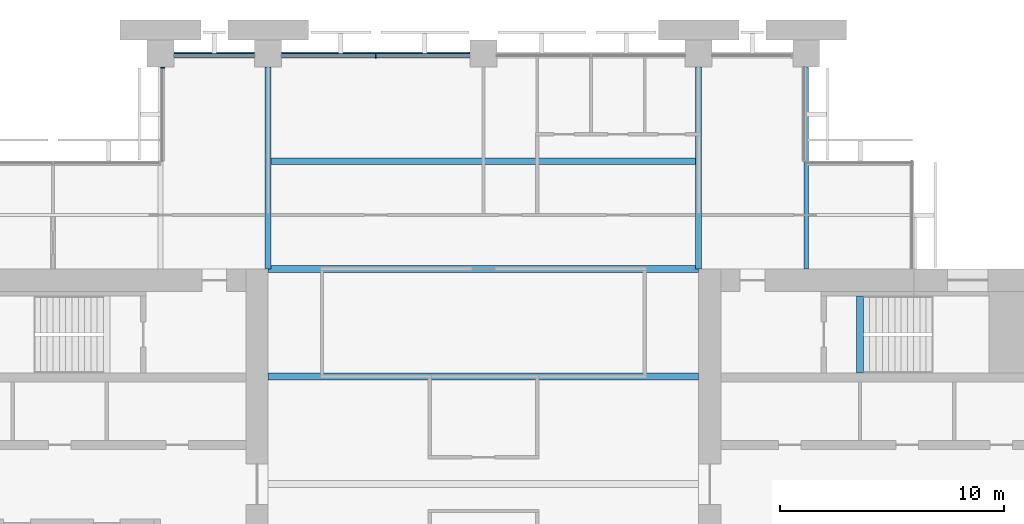
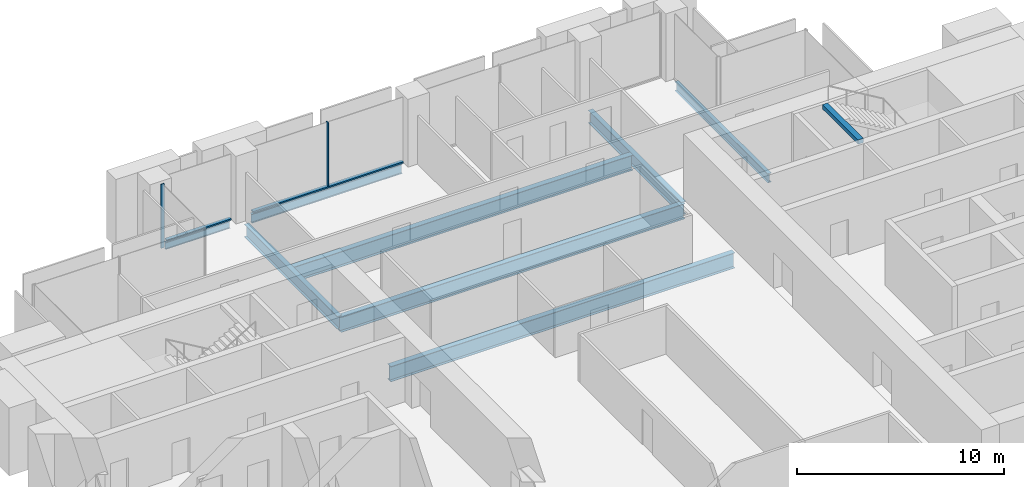
# One storey, part 6 of 14: 9 beams, 4 members, 2 elements without a shape of their own.
"""IFC4 building model written with IfcOpenShell, lengths in metres."""

from ifc_helpers import new_model, si_unit, direction, frame, origin, origin_2d, place, context, subcontext, project, spatial, rectangle, i_section, extrude, material, material_profile, profile_set, type_object, element, aggregate, save


model = new_model("IFC4")

# Units and contexts
model_context = context("Model", 3, precision=1e-05, world=origin(), true_north=direction((0.0, 1.0)))
body_context = subcontext(model_context, "Body", "Model", "MODEL_VIEW")
ifc_project = project(units=[si_unit("LENGTHUNIT", "METRE"), si_unit("AREAUNIT", "SQUARE_METRE"), si_unit("VOLUMEUNIT", "CUBIC_METRE"), si_unit("PLANEANGLEUNIT", "RADIAN"), si_unit("MASSUNIT", "GRAM", prefix="KILO")], contexts=[model_context])

# Site, building, storey
site_placement = place(None, origin())
site = spatial("IfcSite", under=ifc_project, at=site_placement, CompositionType="ELEMENT")
building_placement = place(site_placement, origin())
building = spatial("IfcBuilding", under=site, at=building_placement, Name="Baori Bourse Tower", CompositionType="ELEMENT")
storey_placement = place(building_placement, frame((0.0, 0.0, 160.10009765625)))
storey = spatial("IfcBuildingStorey", under=building, at=storey_placement, Name="L35", CompositionType="ELEMENT", Elevation=160.10009765625)

# Curtain wall, members
ifc_material_1 = material(Name="Pale anodised aluminium", Category="aluminium")
curtain_wall_type_1 = type_object("IfcCurtainWallType", Name="CW1 Curtain wall", PredefinedType="NOTDEFINED", material=ifc_material_1)
curtain_wall_1_placement = place(storey_placement, origin())
curtain_wall_1 = element("IfcCurtainWall", 1, at=curtain_wall_1_placement, inside=storey, type_object=curtain_wall_type_1, Name="Curtain wall CW1 L35 4", PredefinedType="NOTDEFINED")
ifc_material_2 = material(Name="Pale anodised aluminium", Category="aluminium")
ifc_material_profile_1 = material_profile(ifc_material_2, rectangle(XDim=0.199951171875, YDim=0.06005859375, at=origin_2d()), Name="Mullion 60x200")
ifc_profile_set_1 = profile_set([ifc_material_profile_1], Name="Pale anodised aluminium")
member_type_1 = type_object("IfcMemberType", Name="CW1 Curtain wall mullion", PredefinedType="MULLION", material=ifc_profile_set_1)
member_1_placement = place(storey_placement, frame((24.0, 47.89990234375, 0.079833984375), z_axis=(0.0, 0.0, 1.0), x_axis=(0.0, -1.0, 0.0)))
member_1 = element("IfcMember", 2, at=member_1_placement, type_object=member_type_1, Name="Curtain wall CW1 mullion", PredefinedType="MULLION", context=body_context, shape_type="SweptSolid", body=[
    extrude(rectangle(XDim=0.199951171875, YDim=0.06005859375, at=origin_2d()), origin(), (0.0, 0.0, 1.0), 3.760009765625),
])
ifc_material_3 = material(Name="Pale anodised aluminium", Category="aluminium")
ifc_material_profile_2 = material_profile(ifc_material_3, rectangle(XDim=0.199951171875, YDim=0.080078125, at=origin_2d()), Name="Transom 80x200")
ifc_profile_set_2 = profile_set([ifc_material_profile_2], Name="Pale anodised aluminium")
member_type_2 = type_object("IfcMemberType", Name="CW1 Curtain wall transom", PredefinedType="USERDEFINED", material=ifc_profile_set_2)
member_2_placement = place(storey_placement, frame((28.199951171875, 47.89990234375, 0.039794921875), z_axis=(-1.0, 0.0, 0.0), x_axis=(0.0, -1.0, 0.0)))
member_2 = element("IfcMember", 3, at=member_2_placement, type_object=member_type_2, Name="Curtain wall CW1 sill rail", ObjectType="TRANSOM", PredefinedType="USERDEFINED", context=body_context, shape_type="SweptSolid", body=[
    extrude(rectangle(XDim=0.199951171875, YDim=0.080078125, at=origin_2d()), origin(), (0.0, 0.0, 1.0), 8.39990234375),
])
member_3_placement = place(storey_placement, frame((18.60009765625, 47.89990234375, 0.039794921875), z_axis=(-1.0, 0.0, 0.0), x_axis=(0.0, -1.0, 0.0)))
member_3 = element("IfcMember", 4, at=member_3_placement, type_object=member_type_2, Name="Curtain wall CW1 sill rail", ObjectType="TRANSOM", PredefinedType="USERDEFINED", context=body_context, shape_type="SweptSolid", body=[
    extrude(rectangle(XDim=0.199951171875, YDim=0.080078125, at=origin_2d()), origin(), (0.0, 0.0, 1.0), 3.60009765625),
])
aggregate(curtain_wall_1, [member_2, member_1, member_3])

# Curtain wall, member
ifc_material_4 = material(Name="Pale anodised aluminium", Category="aluminium")
curtain_wall_type_2 = type_object("IfcCurtainWallType", Name="CW2 Curtain wall", PredefinedType="NOTDEFINED", material=ifc_material_4)
curtain_wall_2_placement = place(storey_placement, origin())
curtain_wall_2 = element("IfcCurtainWall", 5, at=curtain_wall_2_placement, inside=storey, type_object=curtain_wall_type_2, Name="Curtain wall CW2 L35 5", PredefinedType="NOTDEFINED")
ifc_material_5 = material(Name="Pale anodised aluminium", Category="aluminium")
ifc_material_profile_3 = material_profile(ifc_material_5, rectangle(XDim=0.179931640625, YDim=0.054931640625, at=origin_2d()), Name="Mullion 55x180")
ifc_profile_set_3 = profile_set([ifc_material_profile_3], Name="Pale anodised aluminium")
member_type_3 = type_object("IfcMemberType", Name="CW2 Curtain wall mullion", PredefinedType="MULLION", material=ifc_profile_set_3)
member_4_placement = place(storey_placement, frame((14.489990234375, 47.37255859375, 0.06982421875), z_axis=(0.0, 0.0, 1.0), x_axis=(1.0, 0.0, 0.0)))
member_4 = element("IfcMember", 6, at=member_4_placement, type_object=member_type_3, Name="Curtain wall CW2 mullion", PredefinedType="MULLION", context=body_context, shape_type="SweptSolid", body=[
    extrude(rectangle(XDim=0.179931640625, YDim=0.054931640625, at=origin_2d()), origin(), (0.0, 0.0, 1.0), 3.77001953125),
])
aggregate(curtain_wall_2, [member_4])

# Beams
ifc_material_6 = material(Name="Steel A992 Gr 50", Category="steel")
ifc_material_profile_4 = material_profile(ifc_material_6, i_section(OverallWidth=0.140380859375, OverallDepth=0.40380859375, WebThickness=0.007080078125, FlangeThickness=0.01123046875, at=origin_2d()), Name="W16x31")
ifc_profile_set_4 = profile_set([ifc_material_profile_4], Name="Steel A992 Gr 50")
beam_type_1 = type_object("IfcBeamType", Name="Edge beam W16x31", PredefinedType="BEAM", material=ifc_profile_set_4)
beam_1_placement = place(storey_placement, frame((15.0, 48.0, -0.362060546875), z_axis=(1.0, 0.0, 0.0), x_axis=(0.0, 1.0, 0.0)))
element("IfcBeam", 7, at=beam_1_placement, inside=storey, type_object=beam_type_1, Name="Edge beam L35", PredefinedType="BEAM", context=body_context, shape_type="SweptSolid", body=[
    extrude(i_section(OverallWidth=0.140380859375, OverallDepth=0.40380859375, WebThickness=0.007080078125, FlangeThickness=0.01123046875, at=origin_2d()), origin(), (0.0, 0.0, 1.0), 3.60009765625),
])
ifc_material_7 = material(Name="Steel A992 Gr 50", Category="steel")
ifc_material_profile_5 = material_profile(ifc_material_7, i_section(OverallWidth=0.1650390625, OverallDepth=0.52587890625, WebThickness=0.0087890625, FlangeThickness=0.011474609375, at=origin_2d()), Name="W21x44")
ifc_profile_set_5 = profile_set([ifc_material_profile_5], Name="Steel A992 Gr 50")
beam_type_2 = type_object("IfcBeamType", Name="Edge beam W21x44", PredefinedType="BEAM", material=ifc_profile_set_5)
beam_2_placement = place(storey_placement, frame((19.800048828125, 48.0, -0.423095703125), z_axis=(1.0, 0.0, 0.0), x_axis=(0.0, 1.0, 0.0)))
element("IfcBeam", 8, at=beam_2_placement, inside=storey, type_object=beam_type_2, Name="Edge beam L35", PredefinedType="BEAM", context=body_context, shape_type="SweptSolid", body=[
    extrude(i_section(OverallWidth=0.1650390625, OverallDepth=0.52587890625, WebThickness=0.0087890625, FlangeThickness=0.011474609375, at=origin_2d()), origin(), (0.0, 0.0, 1.0), 8.39990234375),
])
ifc_material_8 = material(Name="Steel A992 Gr 50", Category="steel")
ifc_material_profile_6 = material_profile(ifc_material_8, i_section(OverallWidth=0.209228515625, OverallDepth=0.533447265625, WebThickness=0.01025390625, FlangeThickness=0.015625, at=origin_2d()), Name="W21x62")
ifc_profile_set_6 = profile_set([ifc_material_profile_6], Name="Steel A992 Gr 50")
beam_type_3 = type_object("IfcBeamType", Name="Floor beam W21x62", PredefinedType="BEAM", material=ifc_profile_set_6)
beam_3_placement = place(storey_placement, frame((43.199951171875, 38.39990234375, -0.4267578125), z_axis=(0.0, 1.0, 0.0), x_axis=(-1.0, 0.0, 0.0)))
element("IfcBeam", 9, at=beam_3_placement, inside=storey, type_object=beam_type_3, Name="Floor beam L35", PredefinedType="BEAM", context=body_context, shape_type="SweptSolid", body=[
    extrude(i_section(OverallWidth=0.209228515625, OverallDepth=0.533447265625, WebThickness=0.01025390625, FlangeThickness=0.015625, at=origin_2d()), origin(), (0.0, 0.0, 1.0), 9.0),
])
ifc_material_9 = material(Name="Steel A992 Gr 50", Category="steel")
ifc_material_profile_7 = material_profile(ifc_material_9, i_section(OverallWidth=0.3046875, OverallDepth=0.904296875, WebThickness=0.01513671875, FlangeThickness=0.02001953125, at=origin_2d()), Name="W36x135")
ifc_profile_set_7 = profile_set([ifc_material_profile_7], Name="Steel A992 Gr 50")
beam_type_4 = type_object("IfcBeamType", Name="Floor beam W36x135", PredefinedType="BEAM", material=ifc_profile_set_7)
for number, where, z_axis, x_axis, name in (
    (10, (19.199951171875, 33.60009765625, -0.6123046875), (1.0, 0.0, 0.0), (0.0, 1.0, 0.0), "Floor beam L35"),
    (11, (19.199951171875, 38.39990234375, -0.6123046875), (1.0, 0.0, 0.0), (0.0, 1.0, 0.0), "Floor beam L35"),
):
    element("IfcBeam", number, at=place(storey_placement, frame(where, z_axis=z_axis, x_axis=x_axis)), inside=storey, type_object=beam_type_4, Name=name, PredefinedType="BEAM", context=body_context, shape_type="SweptSolid", body=[
        extrude(i_section(OverallWidth=0.3046875, OverallDepth=0.904296875, WebThickness=0.01513671875, FlangeThickness=0.02001953125, at=origin_2d()), origin(), (0.0, 0.0, 1.0), 19.199951171875),
    ])
beam_4_placement = place(storey_placement, frame((19.33203125, 43.199951171875, -0.6123046875), z_axis=(1.0, 0.0, 0.0), x_axis=(0.0, 1.0, 0.0)))
element("IfcBeam", 12, at=beam_4_placement, inside=storey, type_object=beam_type_4, Name="Floor beam L35", PredefinedType="BEAM", context=body_context, shape_type="SweptSolid", body=[
    extrude(i_section(OverallWidth=0.3046875, OverallDepth=0.904296875, WebThickness=0.01513671875, FlangeThickness=0.02001953125, at=origin_2d()), origin(), (0.0, 0.0, 1.0), 18.935791015625),
])
ifc_material_10 = material(Name="Steel A992 Gr 50", Category="steel")
ifc_material_profile_8 = material_profile(ifc_material_10, i_section(OverallWidth=0.26416015625, OverallDepth=0.749267578125, WebThickness=0.011962890625, FlangeThickness=0.015380859375, at=origin_2d()), Name="W30x90")
ifc_profile_set_8 = profile_set([ifc_material_profile_8], Name="Steel A992 Gr 50")
beam_type_5 = type_object("IfcBeamType", Name="Girder W30x90", PredefinedType="BEAM", material=ifc_profile_set_8)
for number, where, z_axis, x_axis, name in (
    (13, (19.199951171875, 38.39990234375, -0.53466796875), (0.0, 1.0, 0.0), (-1.0, 0.0, 0.0), "Girder L35"),
    (14, (38.39990234375, 38.39990234375, -0.53466796875), (0.0, 1.0, 0.0), (-1.0, 0.0, 0.0), "Girder L35"),
):
    element("IfcBeam", number, at=place(storey_placement, frame(where, z_axis=z_axis, x_axis=x_axis)), inside=storey, type_object=beam_type_5, Name=name, PredefinedType="BEAM", context=body_context, shape_type="SweptSolid", body=[
        extrude(i_section(OverallWidth=0.26416015625, OverallDepth=0.749267578125, WebThickness=0.011962890625, FlangeThickness=0.015380859375, at=origin_2d()), origin(), (0.0, 0.0, 1.0), 9.0),
    ])
ifc_material_11 = material(Name="Concrete f'c 50 MPa", Category="concrete")
ifc_material_profile_9 = material_profile(ifc_material_11, rectangle(XDim=0.300048828125, YDim=0.25, at=origin_2d()), Name="RC 300x250")
ifc_profile_set_9 = profile_set([ifc_material_profile_9], Name="Concrete f'c 50 MPa")
beam_type_6 = type_object("IfcBeamType", Name="Stair nib beam RC 300x250", PredefinedType="BEAM", material=ifc_profile_set_9)
beam_5_placement = place(storey_placement, frame((45.60009765625, 33.75, 3.71484375), z_axis=(0.0, 1.0, 0.0), x_axis=(-1.0, 0.0, 0.0)))
element("IfcBeam", 15, at=beam_5_placement, inside=storey, type_object=beam_type_6, Name="Stair EB nib beam L36", PredefinedType="BEAM", context=body_context, shape_type="SweptSolid", body=[
    extrude(rectangle(XDim=0.300048828125, YDim=0.25, at=origin_2d()), origin(), (0.0, 0.0, 1.0), 3.449951171875),
])

save(model, "model.ifc")
